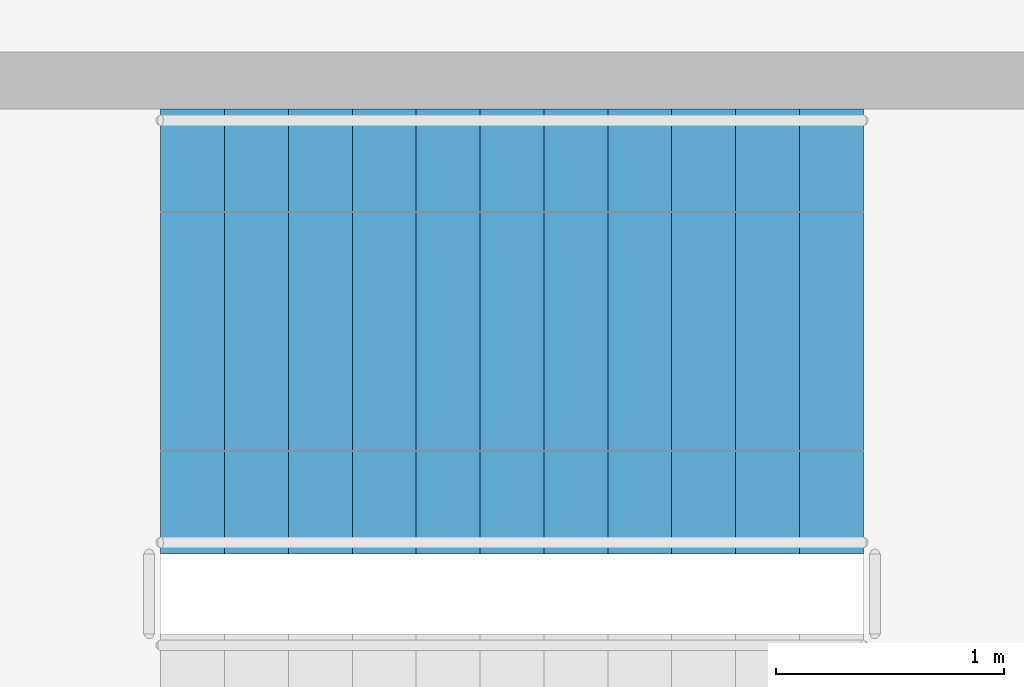
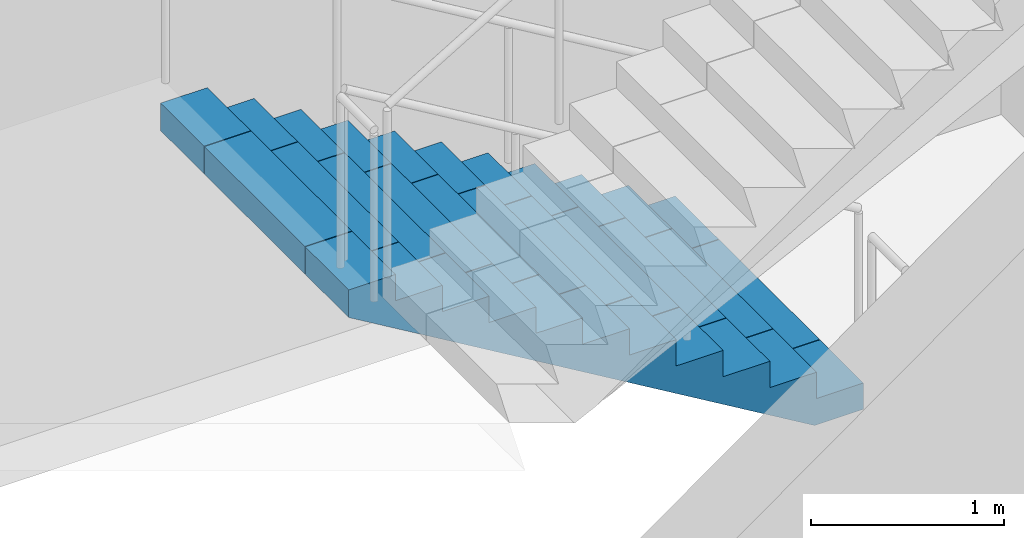
# One storey, part 12 of 13: 1 stair flight, 1 element without a shape of its own.
"""IFC4 building model written with IfcOpenShell, lengths in metres."""

from ifc_helpers import new_model, si_unit, direction, frame, origin, place, context, subcontext, project, spatial, polyline, outline, extrude, material, type_object, element, aggregate, save


model = new_model("IFC4")

# Units and contexts
model_context = context("Model", 3, precision=1e-05, world=origin(), true_north=direction((0.0, 1.0)))
body_context = subcontext(model_context, "Body", "Model", "MODEL_VIEW")
ifc_project = project(units=[si_unit("LENGTHUNIT", "METRE"), si_unit("AREAUNIT", "SQUARE_METRE"), si_unit("VOLUMEUNIT", "CUBIC_METRE"), si_unit("PLANEANGLEUNIT", "RADIAN"), si_unit("MASSUNIT", "GRAM", prefix="KILO")], contexts=[model_context])

# Site, building, storey
site_placement = place(None, origin())
site = spatial("IfcSite", under=ifc_project, at=site_placement, CompositionType="ELEMENT")
building_placement = place(site_placement, origin())
building = spatial("IfcBuilding", under=site, at=building_placement, Name="Corbelhall Arena Tower", CompositionType="ELEMENT")
storey_placement = place(building_placement, frame((0.0, 0.0, 316.0)))
storey = spatial("IfcBuildingStorey", under=building, at=storey_placement, Name="L69", CompositionType="ELEMENT", Elevation=316.0)

# Stair, stair flight
ifc_material = material(Name="Concrete C40/50", Category="concrete")
stair_type = type_object("IfcStairType", Name="IN-ST-TOWER", PredefinedType="HALF_TURN_STAIR", material=ifc_material)
stair_placement = place(storey_placement, origin())
stair = element("IfcStair", 1, at=stair_placement, inside=storey, type_object=stair_type, Name="L69 Exit stair ST3", PredefinedType="HALF_TURN_STAIR")
stair_flight_type = type_object("IfcStairFlightType", Name="IN-SFL-RC", PredefinedType="STRAIGHT", material=ifc_material)
stair_flight_placement = place(storey_placement, frame((11.425048828125, 15.699951171875, 0.0), z_axis=(0.0, 0.0, 1.0), x_axis=(-1.0, 0.0, 0.0)))
stair_flight = element("IfcStairFlight", 2, at=stair_flight_placement, type_object=stair_flight_type, Name="ST3 flight 1", NumberOfRisers=12, NumberOfTreads=11, PredefinedType="STRAIGHT", RiserHeight=0.166666667, TreadLength=0.28, context=body_context, shape_type="SweptSolid", body=[
    extrude(outline(polyline([(0.0, 0.0), (0.0, 0.166748046875), (0.280029296875, 0.166748046875), (0.280029296875, 0.333251953125), (0.56005859375, 0.333251953125), (0.56005859375, 0.5), (0.840087890625, 0.5), (0.840087890625, 0.666748046875), (1.1201171875, 0.666748046875), (1.1201171875, 0.833251953125), (1.39990234375, 0.833251953125), (1.39990234375, 1.0), (1.679931640625, 1.0), (1.679931640625, 1.166748046875), (1.9599609375, 1.166748046875), (1.9599609375, 1.333251953125), (2.239990234375, 1.333251953125), (2.239990234375, 1.5), (2.52001953125, 1.5), (2.52001953125, 1.666748046875), (2.800048828125, 1.666748046875), (2.800048828125, 1.833251953125), (3.080078125, 1.833251953125), (3.080078125, 2.0), (3.080078125, 1.658935546875), (0.29296875, 0.0), (0.0, 0.0)])), frame((0.0, 0.97509765625, 0.0), z_axis=(0.0, -1.0, 0.0), x_axis=(1.0, 0.0, 0.0)), (0.0, 0.0, 1.0), 0.449951171875),
    extrude(outline(polyline([(0.0, 0.0), (0.0, 0.166748046875), (0.280029296875, 0.166748046875), (0.280029296875, 0.333251953125), (0.56005859375, 0.333251953125), (0.56005859375, 0.5), (0.840087890625, 0.5), (0.840087890625, 0.666748046875), (1.1201171875, 0.666748046875), (1.1201171875, 0.833251953125), (1.39990234375, 0.833251953125), (1.39990234375, 1.0), (1.679931640625, 1.0), (1.679931640625, 1.166748046875), (1.9599609375, 1.166748046875), (1.9599609375, 1.333251953125), (2.239990234375, 1.333251953125), (2.239990234375, 1.5), (2.52001953125, 1.5), (2.52001953125, 1.666748046875), (2.800048828125, 1.666748046875), (2.800048828125, 1.833251953125), (3.080078125, 1.833251953125), (3.080078125, 2.0), (3.080078125, 1.658935546875), (0.29296875, 0.0), (0.0, 0.0)])), frame((0.0, 0.52099609375, 0.0), z_axis=(0.0, -1.0, 0.0), x_axis=(1.0, 0.0, 0.0)), (0.0, 0.0, 1.0), 1.0419921875),
    extrude(outline(polyline([(0.0, 0.0), (0.0, 0.166748046875), (0.280029296875, 0.166748046875), (0.280029296875, 0.333251953125), (0.56005859375, 0.333251953125), (0.56005859375, 0.5), (0.840087890625, 0.5), (0.840087890625, 0.666748046875), (1.1201171875, 0.666748046875), (1.1201171875, 0.833251953125), (1.39990234375, 0.833251953125), (1.39990234375, 1.0), (1.679931640625, 1.0), (1.679931640625, 1.166748046875), (1.9599609375, 1.166748046875), (1.9599609375, 1.333251953125), (2.239990234375, 1.333251953125), (2.239990234375, 1.5), (2.52001953125, 1.5), (2.52001953125, 1.666748046875), (2.800048828125, 1.666748046875), (2.800048828125, 1.833251953125), (3.080078125, 1.833251953125), (3.080078125, 2.0), (3.080078125, 1.658935546875), (0.29296875, 0.0), (0.0, 0.0)])), frame((0.0, -0.52490234375, 0.0), z_axis=(0.0, -1.0, 0.0), x_axis=(1.0, 0.0, 0.0)), (0.0, 0.0, 1.0), 0.449951171875),
])
aggregate(stair, [stair_flight])

save(model, "model.ifc")
